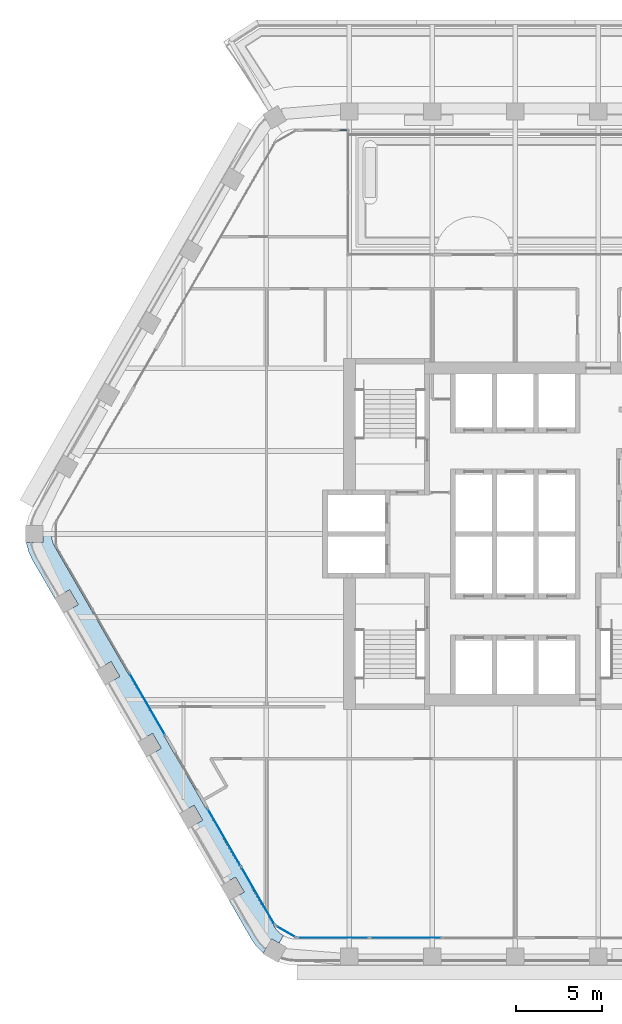
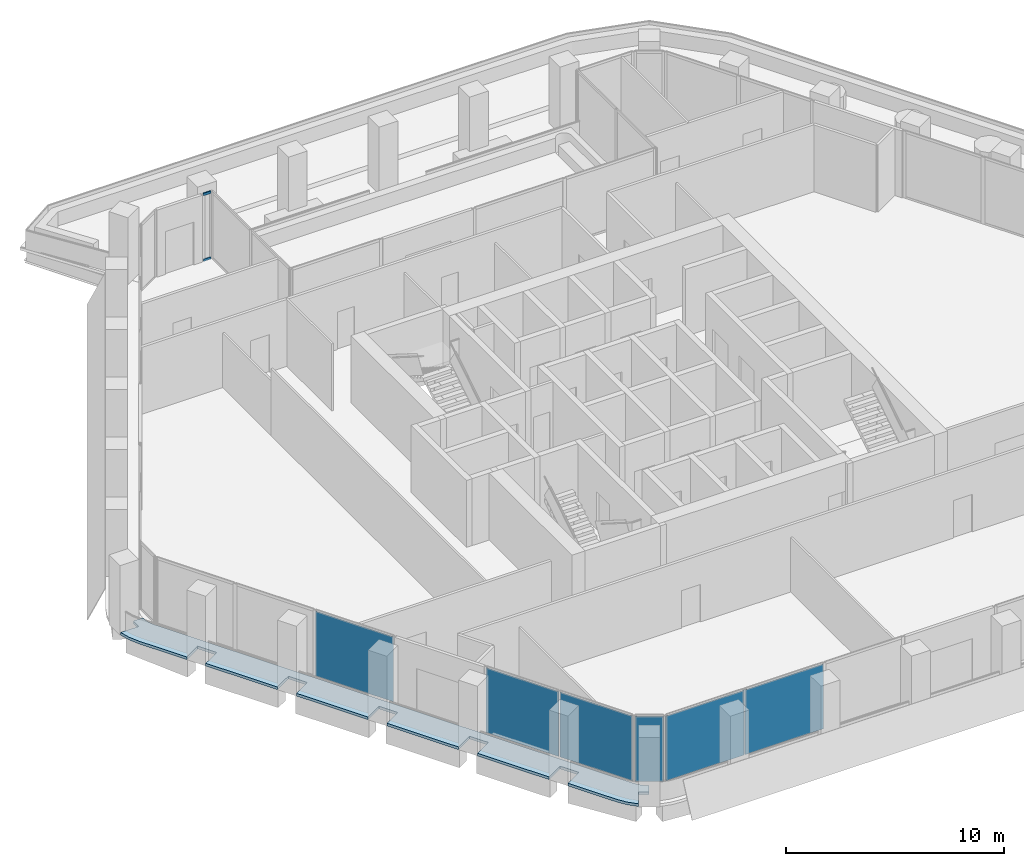
# One storey, part 8 of 17: 6 plates, 2 members, 1 slab, 5 elements without a shape of their own.
"""IFC4 building model written with IfcOpenShell, lengths in metres."""

from ifc_helpers import new_model, si_unit, direction, frame, origin, origin_2d, place, context, subcontext, project, spatial, polyline, rectangle, outline, extrude, material, layer, layer_set, material_profile, profile_set, type_object, element, aggregate, save


model = new_model("IFC4")

# Units and contexts
model_context = context("Model", 3, precision=1e-05, world=origin(), true_north=direction((0.0, 1.0)))
body_context = subcontext(model_context, "Body", "Model", "MODEL_VIEW")
ifc_project = project(units=[si_unit("LENGTHUNIT", "METRE"), si_unit("AREAUNIT", "SQUARE_METRE"), si_unit("VOLUMEUNIT", "CUBIC_METRE"), si_unit("PLANEANGLEUNIT", "RADIAN"), si_unit("MASSUNIT", "GRAM", prefix="KILO")], contexts=[model_context])

# Site, building, storey
site_placement = place(None, origin())
site = spatial("IfcSite", under=ifc_project, at=site_placement, CompositionType="ELEMENT")
building_placement = place(site_placement, origin())
building = spatial("IfcBuilding", under=site, at=building_placement, Name="Kolab Exchange Tower", CompositionType="ELEMENT")
storey_placement = place(building_placement, frame((0.0, 0.0, 166.10009765625)))
storey = spatial("IfcBuildingStorey", under=building, at=storey_placement, Name="L34", CompositionType="ELEMENT", Elevation=166.10009765625)

# Curtain wall, members
ifc_material_1 = material(Name="Aluminium EN AW-6063 T6", Category="aluminium")
curtain_wall_type = type_object("IfcCurtainWallType", Name="UNITISED UPPER MID ZONE CURTAIN WALL", PredefinedType="NOTDEFINED", material=ifc_material_1)
curtain_wall_1_placement = place(storey_placement, origin())
curtain_wall_1 = element("IfcCurtainWall", 1, at=curtain_wall_1_placement, inside=storey, type_object=curtain_wall_type, Name="cw/L34/F1-l-1", PredefinedType="NOTDEFINED")
ifc_material_profile = material_profile(ifc_material_1, rectangle(XDim=0.06005859375, YDim=0.139892578125, at=origin_2d()), Name="RECT 60X140")
ifc_profile_set = profile_set([ifc_material_profile], Name="Aluminium EN AW-6063 T6")
member_type = type_object("IfcMemberType", Name="UNITISED UPPER MID ZONE TRANSOM 60 X 140", PredefinedType="USERDEFINED", material=ifc_profile_set)
member_1_placement = place(storey_placement, frame((-10.14794921875, 23.361572265625, 0.02978515625), z_axis=(1.0, 0.0, 0.0), x_axis=(0.0, 1.0, 0.0)))
member_1 = element("IfcMember", 2, at=member_1_placement, type_object=member_type, Name="CW3 transom 1.1", ObjectType="TRANSOM", PredefinedType="USERDEFINED", context=body_context, shape_type="SweptSolid", body=[
    extrude(rectangle(XDim=0.06005859375, YDim=0.139892578125, at=origin_2d()), origin(), (0.0, 0.0, 1.0), 0.407958984375),
])
member_2_placement = place(storey_placement, frame((-10.14794921875, 23.361572265625, 3.719970703125), z_axis=(1.0, 0.0, 0.0), x_axis=(0.0, 1.0, 0.0)))
member_2 = element("IfcMember", 3, at=member_2_placement, type_object=member_type, Name="CW3 transom 1.2", ObjectType="TRANSOM", PredefinedType="USERDEFINED", context=body_context, shape_type="SweptSolid", body=[
    extrude(rectangle(XDim=0.06005859375, YDim=0.139892578125, at=origin_2d()), origin(), (0.0, 0.0, 1.0), 0.407958984375),
])
aggregate(curtain_wall_1, [member_1, member_2])

# Slab
ifc_material_2 = material(Name="Concrete C35/45", Category="concrete")
ifc_layer_1 = layer(ifc_material_2, 0.14990234375)
ifc_layer_set_1 = layer_set([ifc_layer_1], Name="Concrete C35/45")
slab_type = type_object("IfcSlabType", Name="LOGGIA SLAB 150", PredefinedType="FLOOR", material=ifc_layer_set_1)
slab_placement = place(storey_placement, frame((0.0, 0.0, -0.150146484375)))
element("IfcSlab", 4, at=slab_placement, inside=storey, type_object=slab_type, Name="slab/L34/loggia/4-0", PredefinedType="FLOOR", context=body_context, shape_type="SweptSolid", body=[
    extrude(outline(polyline([(-26.81298828125, -0.260498046875), (-26.8359375, 0.0), (-27.3359375, 0.0), (-27.3359375, -0.5), (-28.292236328125, -0.5), (-28.290283203125, -0.52099609375), (-28.155029296875, -1.026123046875), (-27.93408203125, -1.5), (-26.64990234375, -3.723876953125), (-25.783935546875, -3.223876953125), (-25.283935546875, -4.08984375), (-26.14990234375, -4.58984375), (-24.25, -7.880859375), (-23.384033203125, -7.380859375), (-22.884033203125, -8.246826171875), (-23.75, -8.746826171875), (-21.85009765625, -12.037841796875), (-20.98388671875, -11.537841796875), (-20.48388671875, -12.40380859375), (-21.35009765625, -12.90380859375), (-19.449951171875, -16.194580078125), (-18.583984375, -15.694580078125), (-18.083984375, -16.560791015625), (-18.949951171875, -17.060791015625), (-17.050048828125, -20.3515625), (-16.18408203125, -19.8515625), (-15.68408203125, -20.717529296875), (-16.550048828125, -21.217529296875), (-15.26611328125, -23.441650390625), (-14.966064453125, -23.869873046875), (-14.59619140625, -24.23974609375), (-14.5791015625, -24.251708984375), (-14.10107421875, -23.423583984375), (-13.66796875, -23.673583984375), (-13.41796875, -23.240478515625), (-13.632080078125, -23.090576171875), (-13.81689453125, -22.90576171875), (-13.967041015625, -22.691650390625), (-26.635009765625, -0.75), (-26.745361328125, -0.512939453125), (-26.81298828125, -0.260498046875)])), origin(), (0.0, 0.0, 1.0), 0.150146484375),
])

# Curtain wall, plates
curtain_wall_2_placement = place(storey_placement, origin())
curtain_wall_2 = element("IfcCurtainWall", 5, at=curtain_wall_2_placement, inside=storey, type_object=curtain_wall_type, Name="cw/L34/F4-2", PredefinedType="NOTDEFINED")
ifc_material_3 = material(Name="Clear insulated glazing unit", Category="glass")
ifc_layer_2 = layer(ifc_material_3, 0.028076171875)
ifc_layer_set_2 = layer_set([ifc_layer_2], Name="Clear insulated glazing unit")
plate_type = type_object("IfcPlateType", Name="UNITISED UPPER MID ZONE GLASS PANEL 28", PredefinedType="CURTAIN_PANEL", material=ifc_layer_set_2)
plate_1_placement = place(storey_placement, frame((-6.333984375, -23.361572265625, 0.06005859375), z_axis=(0.0, 0.0, 1.0), x_axis=(-1.0, 0.0, 0.0)))
plate_1 = element("IfcPlate", 6, at=plate_1_placement, type_object=plate_type, Name="CW3 panel 2.1", PredefinedType="CURTAIN_PANEL", context=body_context, shape_type="SweptSolid", body=[
    extrude(rectangle(XDim=4.16259765625, YDim=0.028076171875, at=origin_2d()), origin(), (0.0, 0.0, 1.0), 3.6298828125),
])
plate_2_placement = place(storey_placement, frame((-10.54150390625, -23.361572265625, 0.06005859375), z_axis=(0.0, 0.0, 1.0), x_axis=(-1.0, 0.0, 0.0)))
plate_2 = element("IfcPlate", 7, at=plate_2_placement, type_object=plate_type, Name="CW3 panel 3.1", PredefinedType="CURTAIN_PANEL", context=body_context, shape_type="SweptSolid", body=[
    extrude(rectangle(XDim=4.132568359375, YDim=0.028076171875, at=origin_2d()), origin(), (0.0, 0.0, 1.0), 3.6298828125),
])
aggregate(curtain_wall_2, [plate_1, plate_2])

curtain_wall_3_placement = place(storey_placement, origin())
curtain_wall_3 = element("IfcCurtainWall", 8, at=curtain_wall_3_placement, inside=storey, type_object=curtain_wall_type, Name="cw/L34/F5-1", PredefinedType="NOTDEFINED")
plate_3_placement = place(storey_placement, frame((-14.888671875, -20.93505859375, 0.06005859375), z_axis=(0.0, 0.0, 1.0), x_axis=(-0.500000031681, 0.866025385493, 0.0)))
plate_3 = element("IfcPlate", 9, at=plate_3_placement, type_object=plate_type, Name="CW3 panel 1.1", PredefinedType="CURTAIN_PANEL", context=body_context, shape_type="SweptSolid", body=[
    extrude(rectangle(XDim=3.843994140625, YDim=0.028076171875, at=origin_2d()), origin(), (0.0, 0.0, 1.0), 3.6298828125),
])
plate_4_placement = place(storey_placement, frame((-16.840576171875, -17.55419921875, 0.06005859375), z_axis=(0.0, 0.0, 1.0), x_axis=(-0.500000031681, 0.866025385493, 0.0)))
plate_4 = element("IfcPlate", 10, at=plate_4_placement, type_object=plate_type, Name="CW3 panel 2.1", PredefinedType="CURTAIN_PANEL", context=body_context, shape_type="SweptSolid", body=[
    extrude(rectangle(XDim=3.843994140625, YDim=0.028076171875, at=origin_2d()), origin(), (0.0, 0.0, 1.0), 3.6298828125),
])
aggregate(curtain_wall_3, [plate_3, plate_4])

# Curtain wall, plate
curtain_wall_4_placement = place(storey_placement, origin())
curtain_wall_4 = element("IfcCurtainWall", 11, at=curtain_wall_4_placement, inside=storey, type_object=curtain_wall_type, Name="cw/L34/F5-2", PredefinedType="NOTDEFINED")
plate_5_placement = place(storey_placement, frame((-21.294921875, -9.83935546875, 0.06005859375), z_axis=(0.0, 0.0, 1.0), x_axis=(-0.499999958358, 0.866025427826, 0.0)))
plate_5 = element("IfcPlate", 12, at=plate_5_placement, type_object=plate_type, Name="CW3 panel 1.1", PredefinedType="CURTAIN_PANEL", context=body_context, shape_type="SweptSolid", body=[
    extrude(rectangle(XDim=4.132568359375, YDim=0.028076171875, at=origin_2d()), origin(), (0.0, 0.0, 1.0), 3.6298828125),
])
aggregate(curtain_wall_4, [plate_5])

curtain_wall_5_placement = place(storey_placement, origin())
curtain_wall_5 = element("IfcCurtainWall", 13, at=curtain_wall_5_placement, inside=storey, type_object=curtain_wall_type, Name="cw/L34/F4F5-corner", PredefinedType="NOTDEFINED")
plate_6_placement = place(storey_placement, frame((-13.28271484375, -23.006591796875, 0.06005859375), z_axis=(0.0, 0.0, 1.0), x_axis=(-0.866025390869, 0.50000002237, 0.0)))
plate_6 = element("IfcPlate", 14, at=plate_6_placement, type_object=plate_type, Name="CW3 panel 1.1", PredefinedType="CURTAIN_PANEL", context=body_context, shape_type="SweptSolid", body=[
    extrude(rectangle(XDim=1.300048828125, YDim=0.028076171875, at=origin_2d()), origin(), (0.0, 0.0, 1.0), 3.6298828125),
])
aggregate(curtain_wall_5, [plate_6])

save(model, "model.ifc")
